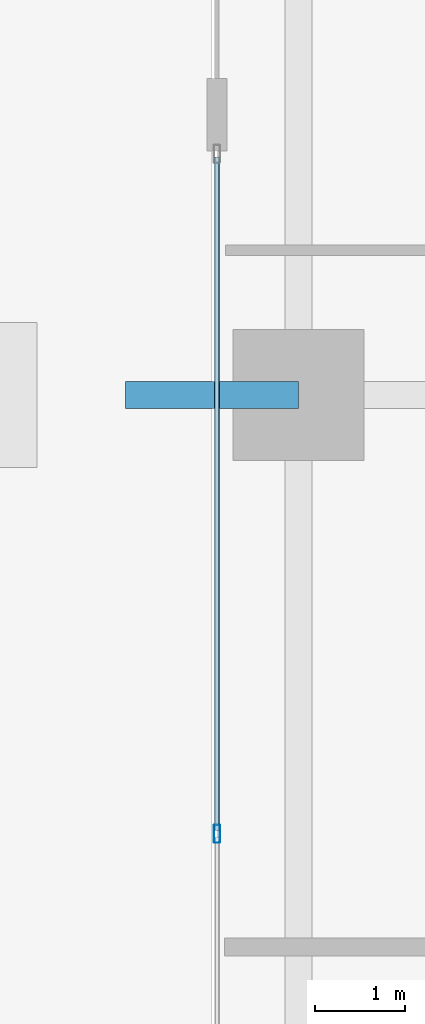
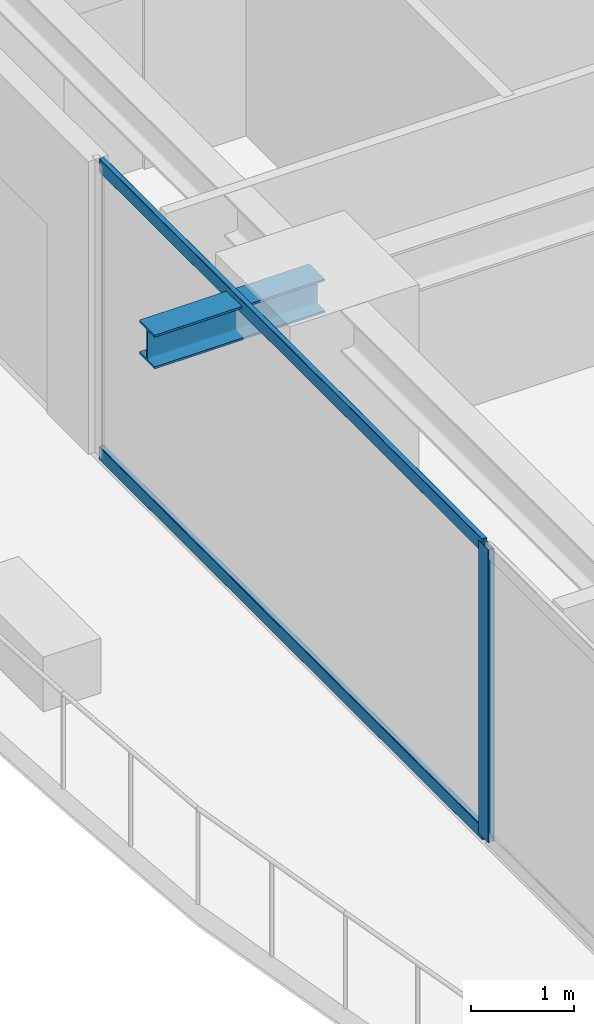
# One storey, part 7 of 40: 3 members, 1 beam, 1 element without a shape of its own.
"""IFC4 building model written with IfcOpenShell, lengths in metres."""

from ifc_helpers import new_model, si_unit, direction, frame, origin, origin_2d, place, context, subcontext, project, spatial, hollow_rectangle, i_section, extrude, source, transform, mapped, material, layer, layer_set, material_profile, profile_set, type_object, element, aggregate, save


model = new_model("IFC4")

# Units and contexts
model_context = context("Model", 3, precision=1e-05, world=origin(), true_north=direction((0.0, 1.0)))
body_context = subcontext(model_context, "Body", "Model", "MODEL_VIEW")
ifc_project = project(units=[si_unit("LENGTHUNIT", "METRE"), si_unit("AREAUNIT", "SQUARE_METRE"), si_unit("VOLUMEUNIT", "CUBIC_METRE"), si_unit("PLANEANGLEUNIT", "RADIAN"), si_unit("MASSUNIT", "GRAM", prefix="KILO")], contexts=[model_context])

# Site, building, storey
site_placement = place(None, origin())
site = spatial("IfcSite", under=ifc_project, at=site_placement, CompositionType="ELEMENT")
building_placement = place(site_placement, origin())
building = spatial("IfcBuilding", under=site, at=building_placement, Name="Serunith Strait Residences", CompositionType="ELEMENT")
storey_placement = place(building_placement, frame((0.0, 0.0, 90.449951171875)))
storey = spatial("IfcBuildingStorey", under=building, at=storey_placement, Name="L22", CompositionType="ELEMENT", Elevation=90.449951171875)

# Beam
ifc_material_1 = material(Name="Steel S355J2", Category="steel")
ifc_material_profile_1 = material_profile(ifc_material_1, i_section(OverallWidth=0.300048828125, OverallDepth=0.39990234375, WebThickness=0.013427734375, FlangeThickness=0.02392578125, FilletRadius=0.027099609375, at=origin_2d()), Name="HEB 400")
ifc_profile_set_1 = profile_set([ifc_material_profile_1], Name="Steel S355J2")
beam_type = type_object("IfcBeamType", Name="BM-HEB400", PredefinedType="BEAM", material=ifc_profile_set_1)
shared_shape_1 = source(origin(), body_context, "Body", "SweptSolid", [
    extrude(i_section(OverallWidth=0.300048828125, OverallDepth=0.39990234375, WebThickness=0.013427734375, FlangeThickness=0.02392578125, FilletRadius=0.027099609375, at=origin_2d()), origin(), (0.0, 0.0, 1.0), 1.909912109375),
])
beam_placement = place(storey_placement, frame((6.89990234375, 21.0, 3.257080078125), z_axis=(-1.0, 0.0, 0.0), x_axis=(0.0, -1.0, 0.0)))
element("IfcBeam", 1, at=beam_placement, inside=storey, type_object=beam_type, Name="L23 Cantilevered Balcony Rib TC-W2", PredefinedType="BEAM", context=body_context, shape_type="MappedRepresentation", body=[
    mapped(shared_shape_1, transform((0.0, 0.0, 0.0), scale=1.0)),
])

# Curtain wall, members
ifc_material_2 = material(Name="Pale-Champagne Anodised Aluminium", Category="aluminium")
ifc_layer = layer(ifc_material_2, 0.199951171875, Name="Pale-Champagne Anodised Aluminium")
ifc_layer_set = layer_set([ifc_layer], Name="Pale-Champagne Anodised Aluminium")
curtain_wall_type = type_object("IfcCurtainWallType", Name="CW-SYS1", PredefinedType="NOTDEFINED", material=ifc_layer_set)
curtain_wall_placement = place(storey_placement, origin())
curtain_wall = element("IfcCurtainWall", 2, at=curtain_wall_placement, inside=storey, type_object=curtain_wall_type, Name="L22 W Unitised Fritted Curtain Wall", PredefinedType="NOTDEFINED")
ifc_material_profile_2 = material_profile(ifc_material_2, hollow_rectangle(XDim=0.070068359375, YDim=0.199951171875, WallThickness=0.00390625, InnerFilletRadius=0.006103515625, OuterFilletRadius=0.010009765625, at=origin_2d()), Name="ALU 200x70x4")
ifc_profile_set_2 = profile_set([ifc_material_profile_2], Name="Pale-Champagne Anodised Aluminium")
member_type_1 = type_object("IfcMemberType", Name="CW-SYS1-MULL", PredefinedType="MULLION", material=ifc_profile_set_2)
shared_shape_2 = source(origin(), body_context, "Body", "SweptSolid", [
    extrude(hollow_rectangle(XDim=0.070068359375, YDim=0.199951171875, WallThickness=0.00390625, InnerFilletRadius=0.006103515625, OuterFilletRadius=0.010009765625, at=origin_2d()), origin(), (0.0, 0.0, 1.0), 3.47509765625),
])
member_1_placement = place(storey_placement, frame((6.0, 16.14990234375, 0.0), z_axis=(0.0, 0.0, 1.0), x_axis=(1.0, 0.0, 0.0)))
member_1 = element("IfcMember", 3, at=member_1_placement, type_object=member_type_1, Name="CW-1 mullion 2", PredefinedType="MULLION", context=body_context, shape_type="MappedRepresentation", body=[
    mapped(shared_shape_2, transform((0.0, 0.0, 0.0), scale=1.0)),
])
ifc_material_profile_3 = material_profile(ifc_material_2, hollow_rectangle(XDim=0.06005859375, YDim=0.159912109375, WallThickness=0.00341796875, InnerFilletRadius=0.00537109375, OuterFilletRadius=0.0087890625, at=origin_2d()), Name="ALU 160x60x3.5")
ifc_profile_set_3 = profile_set([ifc_material_profile_3], Name="Pale-Champagne Anodised Aluminium")
member_type_2 = type_object("IfcMemberType", Name="CW-SYS1-TRAN", PredefinedType="USERDEFINED", material=ifc_profile_set_3)
shared_shape_3 = source(origin(), body_context, "Body", "SweptSolid", [
    extrude(hollow_rectangle(XDim=0.06005859375, YDim=0.159912109375, WallThickness=0.00341796875, InnerFilletRadius=0.00537109375, OuterFilletRadius=0.0087890625, at=origin_2d()), origin(), (0.0, 0.0, 1.0), 7.44482421875),
])
member_2_placement = place(storey_placement, frame((6.0, 23.6298828125, 0.030029296875), z_axis=(0.0, -1.0, 0.0), x_axis=(1.0, 0.0, 0.0)))
member_2 = element("IfcMember", 4, at=member_2_placement, type_object=member_type_2, Name="CW-1 transom 1.1", ObjectType="TRANSOM", PredefinedType="USERDEFINED", context=body_context, shape_type="MappedRepresentation", body=[
    mapped(shared_shape_3, transform((0.0, 0.0, 0.0), scale=1.0)),
])
member_3_placement = place(storey_placement, frame((6.0, 23.6298828125, 3.445068359375), z_axis=(0.0, -1.0, 0.0), x_axis=(1.0, 0.0, 0.0)))
member_3 = element("IfcMember", 5, at=member_3_placement, type_object=member_type_2, Name="CW-1 transom 1.2", ObjectType="TRANSOM", PredefinedType="USERDEFINED", context=body_context, shape_type="MappedRepresentation", body=[
    mapped(shared_shape_3, transform((0.0, 0.0, 0.0), scale=1.0)),
])
aggregate(curtain_wall, [member_1, member_2, member_3])

save(model, "model.ifc")
